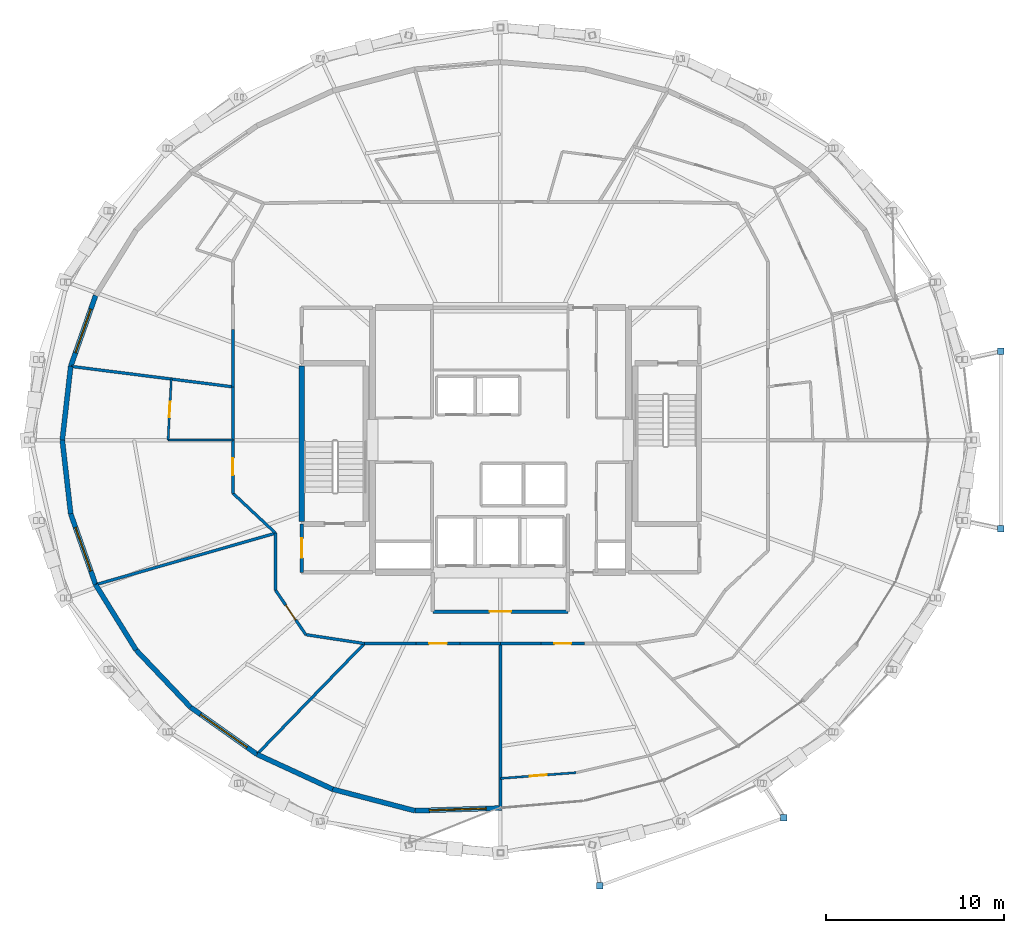
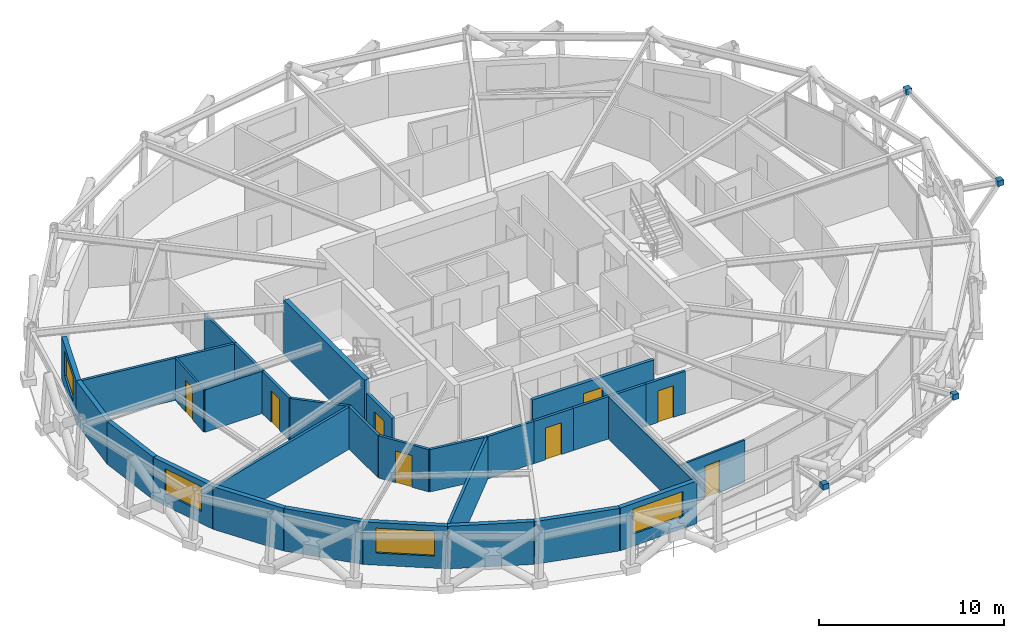
# One storey, part 12 of 17: 32 walls, 8 doors, 4 plates, 4 windows, 12 openings.
"""IFC4 building model written with IfcOpenShell, lengths in metres."""

from ifc_helpers import new_model, si_unit, direction, frame, frame_2d, origin, origin_2d, place, context, subcontext, project, spatial, rectangle, extrude, material, layer, layer_set, type_object, element, fill, save


model = new_model("IFC4")

# Units and contexts
model_context = context("Model", 3, precision=1e-05, world=origin(), true_north=direction((0.0, 1.0)))
body_context = subcontext(model_context, "Body", "Model", "MODEL_VIEW")
ifc_project = project(units=[si_unit("LENGTHUNIT", "METRE"), si_unit("AREAUNIT", "SQUARE_METRE"), si_unit("VOLUMEUNIT", "CUBIC_METRE"), si_unit("PLANEANGLEUNIT", "RADIAN"), si_unit("MASSUNIT", "GRAM", prefix="KILO")], contexts=[model_context])

# Site, building, storey
site_placement = place(None, origin())
site = spatial("IfcSite", under=ifc_project, at=site_placement, CompositionType="ELEMENT")
building_placement = place(site_placement, origin())
building = spatial("IfcBuilding", under=site, at=building_placement, Name="Veldorina Hangang Commons", CompositionType="ELEMENT")
storey_placement = place(building_placement, frame((0.0, 0.0, 196.39990234375)))
storey = spatial("IfcBuildingStorey", under=building, at=storey_placement, Name="L51", CompositionType="ELEMENT", Elevation=196.39990234375)

# Plates
ifc_material_1 = material(Name="Steel SM460-TMC", Category="steel")
ifc_layer_1 = layer(ifc_material_1, 0.035888671875)
ifc_layer_set_1 = layer_set([ifc_layer_1], Name="Steel SM460-TMC")
plate_type = type_object("IfcPlateType", Name="PL-STAR-36", PredefinedType="USERDEFINED", material=ifc_layer_set_1)
for number, where, z_axis, x_axis, name in (
    (1, (37.60107421875, -1.073974609375, 2.9951171875), (0.0, 0.0, 1.0), (1.0, 0.0, 0.0), "L52 tree balcony 1 strut end gusset A"),
    (2, (47.95068359375, 2.743408203125, 2.9951171875), (0.0, 0.0, 1.0), (1.0, 0.0, 0.0), "L52 tree balcony 1 strut end gusset B"),
    (3, (60.15869140625, 19.012451171875, 2.9951171875), (0.0, 0.0, 1.0), (1.0, 0.0, 0.0), "L52 tree balcony 2 strut end gusset A"),
    (4, (60.15869140625, 28.987548828125, 2.9951171875), (0.0, 0.0, 1.0), (1.0, 0.0, 0.0), "L52 tree balcony 2 strut end gusset B"),
):
    element("IfcPlate", number, at=place(storey_placement, frame(where, z_axis=z_axis, x_axis=x_axis)), inside=storey, type_object=plate_type, Name=name, ObjectType="GUSSET PLATE", PredefinedType="USERDEFINED", context=body_context, shape_type="SweptSolid", body=[
        extrude(rectangle(XDim=0.360107421875, YDim=0.360107421875, at=origin_2d()), origin(), (0.0, 0.0, 1.0), 0.360107421875),
    ])

# Wall, opening, window
ifc_material_2 = material(Name="Stone Roman Travertine", Category="masonry")
ifc_layer_2 = layer(ifc_material_2, 0.280029296875)
ifc_layer_set_2 = layer_set([ifc_layer_2], Name="Stone Roman Travertine")
wall_type_1 = type_object("IfcWallType", Name="EW-TRAV-280", PredefinedType="STANDARD", material=ifc_layer_set_2)
wall_1_placement = place(storey_placement, frame((9.224609375, 32.138671875, 0.0), z_axis=(0.0, 0.0, 1.0), x_axis=(-0.331702633575, -0.943383995454, 0.0)))
wall_1 = element("IfcWall", 5, at=wall_1_placement, inside=storey, type_object=wall_type_1, Name="L51 travertine facade wall 14", PredefinedType="STANDARD", context=body_context, shape_type="SweptSolid", body=[
    extrude(rectangle(XDim=4.229248046875, YDim=0.280029296875, at=frame_2d((2.11474609375, 0.0))), origin(), (0.0, 0.0, 1.0), 2.820068359375),
])
opening_1_placement = place(wall_1_placement, frame((0.814453125, 0.0, 0.800048828125)))
opening_1 = element("IfcOpeningElement", 6, at=opening_1_placement, cuts=wall_1, Name="Opening W-02", PredefinedType="OPENING", context=body_context, shape_type="SweptSolid", body=[
    extrude(rectangle(XDim=2.60009765625, YDim=1.64990234375, at=frame_2d((1.300048828125, 0.824951171875))), frame((0.0, 0.14990234375, 0.0), z_axis=(0.0, -1.0, 0.0), x_axis=(1.0, 0.0, 0.0)), (0.0, 0.0, 1.0), 0.300048828125),
])
ifc_material_3 = material(Name="Glass Low-E Triple IGU", Category="glass")
window_type_1 = type_object("IfcWindowType", Name="WIN-TWR-2600", PartitioningType="SINGLE_PANEL", PredefinedType="WINDOW", material=ifc_material_3)
window_1_placement = place(opening_1_placement, origin())
window_1 = element("IfcWindow", 7, at=window_1_placement, inside=storey, type_object=window_type_1, Name="L51 facade window 14", OverallHeight=1.64990234375, OverallWidth=2.60009765625, PartitioningType="SINGLE_PANEL", PredefinedType="WINDOW", context=body_context, shape_type="SweptSolid", body=[
    extrude(rectangle(XDim=2.60009765625, YDim=1.64990234375, at=frame_2d((1.300048828125, 0.824951171875))), frame((0.0, 0.030029296875, 0.0), z_axis=(0.0, -1.0, 0.0), x_axis=(1.0, 0.0, 0.0)), (0.0, 0.0, 1.0), 0.06005859375),
])
fill(opening_1, window_1)

# Walls
for number, where, z_axis, x_axis, name in (
    (8, (7.82177734375, 28.14892578125, 0.0), (0.0, 0.0, 1.0), (-0.113421275375, -0.993546986454, 0.0), "L51 travertine facade wall 15"),
    (9, (7.34814453125, 24.0, 0.0), (0.0, 0.0, 1.0), (0.113421275375, -0.993546986454, 0.0), "L51 travertine facade wall 16"),
):
    element("IfcWall", number, at=place(storey_placement, frame(where, z_axis=z_axis, x_axis=x_axis)), inside=storey, type_object=wall_type_1, Name=name, PredefinedType="STANDARD", context=body_context, shape_type="SweptSolid", body=[
        extrude(rectangle(XDim=4.17578125, YDim=0.280029296875, at=frame_2d((2.087890625, 0.0))), origin(), (0.0, 0.0, 1.0), 2.820068359375),
    ])

# Wall, opening, window
wall_2_placement = place(storey_placement, frame((7.82177734375, 19.85107421875, 0.0), z_axis=(0.0, 0.0, 1.0), x_axis=(0.331702633575, -0.943383995454, 0.0)))
wall_2 = element("IfcWall", 10, at=wall_2_placement, inside=storey, type_object=wall_type_1, Name="L51 travertine facade wall 17", PredefinedType="STANDARD", context=body_context, shape_type="SweptSolid", body=[
    extrude(rectangle(XDim=4.229248046875, YDim=0.280029296875, at=frame_2d((2.11474609375, 0.0))), origin(), (0.0, 0.0, 1.0), 2.820068359375),
])
opening_2_placement = place(wall_2_placement, frame((0.814453125, 0.0, 0.800048828125)))
opening_2 = element("IfcOpeningElement", 11, at=opening_2_placement, cuts=wall_2, Name="Opening W-02", PredefinedType="OPENING", context=body_context, shape_type="SweptSolid", body=[
    extrude(rectangle(XDim=2.60009765625, YDim=1.64990234375, at=frame_2d((1.300048828125, 0.824951171875))), frame((0.0, 0.14990234375, 0.0), z_axis=(0.0, -1.0, 0.0), x_axis=(1.0, 0.0, 0.0)), (0.0, 0.0, 1.0), 0.300048828125),
])
window_2_placement = place(opening_2_placement, origin())
window_2 = element("IfcWindow", 12, at=window_2_placement, inside=storey, type_object=window_type_1, Name="L51 facade window 17", OverallHeight=1.64990234375, OverallWidth=2.60009765625, PartitioningType="SINGLE_PANEL", PredefinedType="WINDOW", context=body_context, shape_type="SweptSolid", body=[
    extrude(rectangle(XDim=2.60009765625, YDim=1.64990234375, at=frame_2d((1.300048828125, 0.824951171875))), frame((0.0, 0.030029296875, 0.0), z_axis=(0.0, -1.0, 0.0), x_axis=(1.0, 0.0, 0.0)), (0.0, 0.0, 1.0), 0.06005859375),
])
fill(opening_2, window_2)

# Walls
wall_3_placement = place(storey_placement, frame((9.224609375, 15.861328125, 0.0), z_axis=(0.0, 0.0, 1.0), x_axis=(0.526686858754, -0.850059381935, 0.0)))
element("IfcWall", 13, at=wall_3_placement, inside=storey, type_object=wall_type_1, Name="L51 travertine facade wall 18", PredefinedType="STANDARD", context=body_context, shape_type="SweptSolid", body=[
    extrude(rectangle(XDim=4.3251953125, YDim=0.280029296875, at=frame_2d((2.16259765625, 0.0))), origin(), (0.0, 0.0, 1.0), 2.820068359375),
])
wall_4_placement = place(storey_placement, frame((11.502685546875, 12.1845703125, 0.0), z_axis=(0.0, 0.0, 1.0), x_axis=(0.689241173538, -0.724531990115, 0.0)))
element("IfcWall", 14, at=wall_4_placement, inside=storey, type_object=wall_type_1, Name="L51 travertine facade wall 19", PredefinedType="STANDARD", context=body_context, shape_type="SweptSolid", body=[
    extrude(rectangle(XDim=4.4482421875, YDim=0.280029296875, at=frame_2d((2.22412109375, 0.0))), origin(), (0.0, 0.0, 1.0), 2.820068359375),
])

# Wall, opening, window
wall_5_placement = place(storey_placement, frame((14.568603515625, 8.961669921875, 0.0), z_axis=(0.0, 0.0, 1.0), x_axis=(0.81615549773, -0.577832331672, 0.0)))
wall_5 = element("IfcWall", 15, at=wall_5_placement, inside=storey, type_object=wall_type_1, Name="L51 travertine facade wall 20", PredefinedType="STANDARD", context=body_context, shape_type="SweptSolid", body=[
    extrude(rectangle(XDim=4.5771484375, YDim=0.280029296875, at=frame_2d((2.28857421875, 0.0))), origin(), (0.0, 0.0, 1.0), 2.820068359375),
])
opening_3_placement = place(wall_5_placement, frame((0.6884765625, 0.0, 0.800048828125)))
opening_3 = element("IfcOpeningElement", 16, at=opening_3_placement, cuts=wall_5, Name="Opening W-01", PredefinedType="OPENING", context=body_context, shape_type="SweptSolid", body=[
    extrude(rectangle(XDim=3.199951171875, YDim=1.64990234375, at=frame_2d((1.60009765625, 0.824951171875))), frame((0.0, 0.14990234375, 0.0), z_axis=(0.0, -1.0, 0.0), x_axis=(1.0, 0.0, 0.0)), (0.0, 0.0, 1.0), 0.300048828125),
])
window_type_2 = type_object("IfcWindowType", Name="WIN-TWR-3200", PartitioningType="SINGLE_PANEL", PredefinedType="WINDOW", material=ifc_material_3)
window_3_placement = place(opening_3_placement, origin())
window_3 = element("IfcWindow", 17, at=window_3_placement, inside=storey, type_object=window_type_2, Name="L51 facade window 20", OverallHeight=1.64990234375, OverallWidth=3.199951171875, PartitioningType="SINGLE_PANEL", PredefinedType="WINDOW", context=body_context, shape_type="SweptSolid", body=[
    extrude(rectangle(XDim=3.199951171875, YDim=1.64990234375, at=frame_2d((1.60009765625, 0.824951171875))), frame((0.0, 0.030029296875, 0.0), z_axis=(0.0, -1.0, 0.0), x_axis=(1.0, 0.0, 0.0)), (0.0, 0.0, 1.0), 0.06005859375),
])
fill(opening_3, window_3)

# Walls
wall_6_placement = place(storey_placement, frame((18.30419921875, 6.31689453125, 0.0), z_axis=(0.0, 0.0, 1.0), x_axis=(0.908099405027, -0.41875466635, 0.0)))
element("IfcWall", 18, at=wall_6_placement, inside=storey, type_object=wall_type_1, Name="L51 travertine facade wall 21", PredefinedType="STANDARD", context=body_context, shape_type="SweptSolid", body=[
    extrude(rectangle(XDim=4.693359375, YDim=0.280029296875, at=frame_2d((2.3466796875, 0.0))), origin(), (0.0, 0.0, 1.0), 2.820068359375),
])
wall_7_placement = place(storey_placement, frame((22.566162109375, 4.3515625, 0.0), z_axis=(0.0, 0.0, 1.0), x_axis=(0.967422274867, -0.253168209086, 0.0)))
element("IfcWall", 19, at=wall_7_placement, inside=storey, type_object=wall_type_1, Name="L51 travertine facade wall 22", PredefinedType="STANDARD", context=body_context, shape_type="SweptSolid", body=[
    extrude(rectangle(XDim=4.7802734375, YDim=0.280029296875, at=frame_2d((2.39013671875, 0.0))), origin(), (0.0, 0.0, 1.0), 2.820068359375),
])

# Wall, opening, window
wall_8_placement = place(storey_placement, frame((27.190673828125, 3.141357421875, 0.0), z_axis=(0.0, 0.0, 1.0), x_axis=(0.999504860995, 0.031464787415, 0.0)))
wall_8 = element("IfcWall", 20, at=wall_8_placement, inside=storey, type_object=wall_type_1, Name="L51 travertine facade wall 23", PredefinedType="STANDARD", context=body_context, shape_type="SweptSolid", body=[
    extrude(rectangle(XDim=4.90380859375, YDim=0.280029296875, at=frame_2d((2.451904296875, 0.0))), origin(), (0.0, 0.0, 1.0), 2.820068359375),
])
opening_4_placement = place(wall_8_placement, frame((0.805908203125, 0.0, 0.800048828125)))
opening_4 = element("IfcOpeningElement", 21, at=opening_4_placement, cuts=wall_8, Name="Opening W-01", PredefinedType="OPENING", context=body_context, shape_type="SweptSolid", body=[
    extrude(rectangle(XDim=3.199951171875, YDim=1.64990234375, at=frame_2d((1.60009765625, 0.824951171875))), frame((0.0, 0.14990234375, 0.0), z_axis=(0.0, -1.0, 0.0), x_axis=(1.0, 0.0, 0.0)), (0.0, 0.0, 1.0), 0.300048828125),
])
window_4_placement = place(opening_4_placement, origin())
window_4 = element("IfcWindow", 22, at=window_4_placement, inside=storey, type_object=window_type_2, Name="L51 facade window 23", OverallHeight=1.64990234375, OverallWidth=3.199951171875, PartitioningType="SINGLE_PANEL", PredefinedType="WINDOW", context=body_context, shape_type="SweptSolid", body=[
    extrude(rectangle(XDim=3.199951171875, YDim=1.64990234375, at=frame_2d((1.60009765625, 0.824951171875))), frame((0.0, 0.030029296875, 0.0), z_axis=(0.0, -1.0, 0.0), x_axis=(1.0, 0.0, 0.0)), (0.0, 0.0, 1.0), 0.06005859375),
])
fill(opening_4, window_4)

# Walls
ifc_material_4 = material(Name="Concrete C50/60", Category="concrete")
ifc_layer_3 = layer(ifc_material_4, 0.300048828125)
ifc_layer_set_3 = layer_set([ifc_layer_3], Name="Concrete C50/60")
wall_type_2 = type_object("IfcWallType", Name="SW-STAIR-300", PredefinedType="SHEAR", material=ifc_layer_set_3)
wall_9_placement = place(storey_placement, frame((20.820068359375, 19.429931640625, 0.0), z_axis=(0.0, 0.0, 1.0), x_axis=(0.0, 1.0, 0.0)))
element("IfcWall", 23, at=wall_9_placement, inside=storey, type_object=wall_type_2, Name="L51 ST1 outer stair shear wall", PredefinedType="SHEAR", context=body_context, shape_type="SweptSolid", body=[
    extrude(rectangle(XDim=8.739990234375, YDim=0.300048828125, at=frame_2d((4.3701171875, 0.0))), origin(), (0.0, 0.0, 1.0), 3.60009765625),
])
ifc_material_5 = material(Name="Gypsum Fire-Rated Twin Stud Wall", Category="gypsum")
ifc_layer_4 = layer(ifc_material_5, 0.159912109375)
ifc_layer_set_4 = layer_set([ifc_layer_4], Name="Gypsum Fire-Rated Twin Stud Wall")
wall_type_3 = type_object("IfcWallType", Name="WL-FIRE-160", PredefinedType="SOLIDWALL", material=ifc_layer_set_4)
wall_10_placement = place(storey_placement, frame((16.949951171875, 30.23388671875, 0.0), z_axis=(0.0, 0.0, 1.0), x_axis=(0.0, -1.0, 0.0)))
element("IfcWall", 24, at=wall_10_placement, inside=storey, type_object=wall_type_3, Name="L51 U-corridor outer wall 14 058", PredefinedType="SOLIDWALL", context=body_context, shape_type="SweptSolid", body=[
    extrude(rectangle(XDim=3.240234375, YDim=0.159912109375, at=frame_2d((1.6201171875, 0.0))), origin(), (0.0, 0.0, 1.0), 2.800048828125),
])
wall_11_placement = place(storey_placement, frame((16.949951171875, 26.99365234375, 0.0), z_axis=(0.0, 0.0, 1.0), x_axis=(0.0, -1.0, 0.0)))
element("IfcWall", 25, at=wall_11_placement, inside=storey, type_object=wall_type_3, Name="L51 U-corridor outer wall 15 059", PredefinedType="SOLIDWALL", context=body_context, shape_type="SweptSolid", body=[
    extrude(rectangle(XDim=2.99365234375, YDim=0.159912109375, at=frame_2d((1.496826171875, 0.0))), origin(), (0.0, 0.0, 1.0), 2.800048828125),
])

# Wall, opening, door
wall_12_placement = place(storey_placement, frame((16.949951171875, 24.0, 0.0), z_axis=(0.0, 0.0, 1.0), x_axis=(0.0, -1.0, 0.0)))
wall_12 = element("IfcWall", 26, at=wall_12_placement, inside=storey, type_object=wall_type_3, Name="L51 U-corridor outer wall 16 060", PredefinedType="SOLIDWALL", context=body_context, shape_type="SweptSolid", body=[
    extrude(rectangle(XDim=2.99365234375, YDim=0.159912109375, at=frame_2d((1.496826171875, 0.0))), origin(), (0.0, 0.0, 1.0), 2.800048828125),
])
opening_5_placement = place(wall_12_placement, frame((1.021728515625, 0.0, 0.0)))
opening_5 = element("IfcOpeningElement", 27, at=opening_5_placement, cuts=wall_12, Name="Opening D-03", PredefinedType="OPENING", context=body_context, shape_type="SweptSolid", body=[
    extrude(rectangle(XDim=0.949951171875, YDim=2.10009765625, at=frame_2d((0.47509765625, 1.050048828125))), frame((0.0, 0.08984375, 0.0), z_axis=(0.0, -1.0, 0.0), x_axis=(1.0, 0.0, 0.0)), (0.0, 0.0, 1.0), 0.179931640625),
])
ifc_material_6 = material(Name="Timber Fire-Rated Entrance Core", Category="wood")
door_type_1 = type_object("IfcDoorType", Name="DR-UNIT-950", OperationType="SINGLE_SWING_RIGHT", PredefinedType="DOOR", material=ifc_material_6)
door_1_placement = place(opening_5_placement, origin())
door_1 = element("IfcDoor", 28, at=door_1_placement, inside=storey, type_object=door_type_1, Name="L51 Studio 6 entrance door 030", OperationType="SINGLE_SWING_RIGHT", OverallHeight=2.10009765625, OverallWidth=0.949951171875, PredefinedType="DOOR", context=body_context, shape_type="SweptSolid", body=[
    extrude(rectangle(XDim=0.949951171875, YDim=2.10009765625, at=frame_2d((0.47509765625, 1.050048828125))), frame((0.0, 0.02490234375, 0.0), z_axis=(0.0, -1.0, 0.0), x_axis=(1.0, 0.0, 0.0)), (0.0, 0.0, 1.0), 0.050048828125),
])
fill(opening_5, door_1)

# Walls
wall_13_placement = place(storey_placement, frame((16.949951171875, 21.00634765625, 0.0), z_axis=(0.0, 0.0, 1.0), x_axis=(0.730150682073, -0.683286163674, 0.0)))
element("IfcWall", 29, at=wall_13_placement, inside=storey, type_object=wall_type_3, Name="L51 U-corridor outer wall 17 061", PredefinedType="SOLIDWALL", context=body_context, shape_type="SweptSolid", body=[
    extrude(rectangle(XDim=3.287109375, YDim=0.159912109375, at=frame_2d((1.6435546875, 0.0))), origin(), (0.0, 0.0, 1.0), 2.800048828125),
])
wall_14_placement = place(storey_placement, frame((19.35009765625, 18.76025390625, 0.0), z_axis=(0.0, 0.0, 1.0), x_axis=(0.0, -1.0, 0.0)))
element("IfcWall", 30, at=wall_14_placement, inside=storey, type_object=wall_type_3, Name="L51 U-corridor outer wall 18 062", PredefinedType="SOLIDWALL", context=body_context, shape_type="SweptSolid", body=[
    extrude(rectangle(XDim=3.212646484375, YDim=0.159912109375, at=frame_2d((1.6064453125, 0.0))), origin(), (0.0, 0.0, 1.0), 2.800048828125),
])

# Wall, opening, door
wall_15_placement = place(storey_placement, frame((19.35009765625, 15.547607421875, 0.0), z_axis=(0.0, 0.0, 1.0), x_axis=(0.562674669208, -0.826678423955, 0.0)))
wall_15 = element("IfcWall", 31, at=wall_15_placement, inside=storey, type_object=wall_type_3, Name="L51 U-corridor outer wall 19 063", PredefinedType="SOLIDWALL", context=body_context, shape_type="SweptSolid", body=[
    extrude(rectangle(XDim=3.021240234375, YDim=0.159912109375, at=frame_2d((1.5107421875, 0.0))), origin(), (0.0, 0.0, 1.0), 2.800048828125),
])
opening_6_placement = place(wall_15_placement, frame((1.010498046875, 0.0, 0.0)))
opening_6 = element("IfcOpeningElement", 32, at=opening_6_placement, cuts=wall_15, Name="Opening D-05", PredefinedType="OPENING", context=body_context, shape_type="SweptSolid", body=[
    extrude(rectangle(XDim=1.0, YDim=2.10009765625, at=frame_2d((0.5, 1.050048828125))), frame((0.0, 0.08984375, 0.0), z_axis=(0.0, -1.0, 0.0), x_axis=(1.0, 0.0, 0.0)), (0.0, 0.0, 1.0), 0.179931640625),
])
ifc_material_7 = material(Name="Timber Solid Core Acoustic", Category="wood")
door_type_2 = type_object("IfcDoorType", Name="DR-INT-1000", OperationType="SINGLE_SWING_RIGHT", PredefinedType="DOOR", material=ifc_material_7)
door_2_placement = place(opening_6_placement, origin())
door_2 = element("IfcDoor", 33, at=door_2_placement, inside=storey, type_object=door_type_2, Name="L51 Floor Study Room 7 door 031", OperationType="SINGLE_SWING_LEFT", OverallHeight=2.10009765625, OverallWidth=1.0, PredefinedType="DOOR", context=body_context, shape_type="SweptSolid", body=[
    extrude(rectangle(XDim=1.0, YDim=2.10009765625, at=frame_2d((0.5, 1.050048828125))), frame((0.0, 0.02490234375, 0.0), z_axis=(0.0, -1.0, 0.0), x_axis=(1.0, 0.0, 0.0)), (0.0, 0.0, 1.0), 0.050048828125),
])
fill(opening_6, door_2)

# Walls
wall_16_placement = place(storey_placement, frame((21.050048828125, 13.050048828125, 0.0), z_axis=(0.0, 0.0, 1.0), x_axis=(0.988710906508, -0.149835721217, 0.0)))
element("IfcWall", 34, at=wall_16_placement, inside=storey, type_object=wall_type_3, Name="L51 U-corridor outer wall 20 064", PredefinedType="SOLIDWALL", context=body_context, shape_type="SweptSolid", body=[
    extrude(rectangle(XDim=3.3369140625, YDim=0.159912109375, at=frame_2d((1.66845703125, 0.0))), origin(), (0.0, 0.0, 1.0), 2.800048828125),
])
wall_17_placement = place(storey_placement, frame((24.349365234375, 12.550048828125, 0.0), z_axis=(0.0, 0.0, 1.0), x_axis=(1.0, 0.0, 0.0)))
element("IfcWall", 35, at=wall_17_placement, inside=storey, type_object=wall_type_3, Name="L51 U-corridor outer wall 21 065", PredefinedType="SOLIDWALL", context=body_context, shape_type="SweptSolid", body=[
    extrude(rectangle(XDim=2.907958984375, YDim=0.159912109375, at=frame_2d((1.4541015625, 0.0))), origin(), (0.0, 0.0, 1.0), 2.800048828125),
])

# Wall, opening, door
wall_18_placement = place(storey_placement, frame((27.25732421875, 12.550048828125, 0.0), z_axis=(0.0, 0.0, 1.0), x_axis=(1.0, 0.0, 0.0)))
wall_18 = element("IfcWall", 36, at=wall_18_placement, inside=storey, type_object=wall_type_3, Name="L51 U-corridor outer wall 22 066", PredefinedType="SOLIDWALL", context=body_context, shape_type="SweptSolid", body=[
    extrude(rectangle(XDim=2.465087890625, YDim=0.159912109375, at=frame_2d((1.232421875, 0.0))), origin(), (0.0, 0.0, 1.0), 2.800048828125),
])
opening_7_placement = place(wall_18_placement, frame((0.732666015625, 0.0, 0.0)))
opening_7 = element("IfcOpeningElement", 37, at=opening_7_placement, cuts=wall_18, Name="Opening D-05", PredefinedType="OPENING", context=body_context, shape_type="SweptSolid", body=[
    extrude(rectangle(XDim=1.0, YDim=2.10009765625, at=frame_2d((0.5, 1.050048828125))), frame((0.0, 0.08984375, 0.0), z_axis=(0.0, -1.0, 0.0), x_axis=(1.0, 0.0, 0.0)), (0.0, 0.0, 1.0), 0.179931640625),
])
door_3_placement = place(opening_7_placement, origin())
door_3 = element("IfcDoor", 38, at=door_3_placement, inside=storey, type_object=door_type_2, Name="L51 Floor Study Room 8 door 032", OperationType="SINGLE_SWING_RIGHT", OverallHeight=2.10009765625, OverallWidth=1.0, PredefinedType="DOOR", context=body_context, shape_type="SweptSolid", body=[
    extrude(rectangle(XDim=1.0, YDim=2.10009765625, at=frame_2d((0.5, 1.050048828125))), frame((0.0, 0.02490234375, 0.0), z_axis=(0.0, -1.0, 0.0), x_axis=(1.0, 0.0, 0.0)), (0.0, 0.0, 1.0), 0.050048828125),
])
fill(opening_7, door_3)

# Walls
for number, where, z_axis, x_axis, name in (
    (39, (29.722412109375, 12.550048828125, 0.0), (0.0, 0.0, 1.0), (1.0, 0.0, 0.0), "L51 U-corridor outer wall 23 067"),
    (40, (32.0, 12.550048828125, 0.0), (0.0, 0.0, 1.0), (1.0, 0.0, 0.0), "L51 U-corridor outer wall 24 068"),
):
    element("IfcWall", number, at=place(storey_placement, frame(where, z_axis=z_axis, x_axis=x_axis)), inside=storey, type_object=wall_type_3, Name=name, PredefinedType="SOLIDWALL", context=body_context, shape_type="SweptSolid", body=[
        extrude(rectangle(XDim=2.277587890625, YDim=0.159912109375, at=frame_2d((1.138671875, 0.0))), origin(), (0.0, 0.0, 1.0), 2.800048828125),
    ])

# Wall, opening, door
wall_19_placement = place(storey_placement, frame((34.277587890625, 12.550048828125, 0.0), z_axis=(0.0, 0.0, 1.0), x_axis=(1.0, 0.0, 0.0)))
wall_19 = element("IfcWall", 41, at=wall_19_placement, inside=storey, type_object=wall_type_3, Name="L51 U-corridor outer wall 25 069", PredefinedType="SOLIDWALL", context=body_context, shape_type="SweptSolid", body=[
    extrude(rectangle(XDim=2.465087890625, YDim=0.159912109375, at=frame_2d((1.232421875, 0.0))), origin(), (0.0, 0.0, 1.0), 2.800048828125),
])
opening_8_placement = place(wall_19_placement, frame((0.757568359375, 0.0, 0.0)))
opening_8 = element("IfcOpeningElement", 42, at=opening_8_placement, cuts=wall_19, Name="Opening D-02", PredefinedType="OPENING", context=body_context, shape_type="SweptSolid", body=[
    extrude(rectangle(XDim=0.949951171875, YDim=2.10009765625, at=frame_2d((0.47509765625, 1.050048828125))), frame((0.0, 0.08984375, 0.0), z_axis=(0.0, -1.0, 0.0), x_axis=(1.0, 0.0, 0.0)), (0.0, 0.0, 1.0), 0.179931640625),
])
door_type_3 = type_object("IfcDoorType", Name="DR-INT-950", OperationType="SINGLE_SWING_LEFT", PredefinedType="DOOR", material=ifc_material_7)
door_4_placement = place(opening_8_placement, origin())
door_4 = element("IfcDoor", 43, at=door_4_placement, inside=storey, type_object=door_type_3, Name="L51 Linen drying store door 033", OperationType="SINGLE_SWING_LEFT", OverallHeight=2.10009765625, OverallWidth=0.949951171875, PredefinedType="DOOR", context=body_context, shape_type="SweptSolid", body=[
    extrude(rectangle(XDim=0.949951171875, YDim=2.10009765625, at=frame_2d((0.47509765625, 1.050048828125))), frame((0.0, 0.02490234375, 0.0), z_axis=(0.0, -1.0, 0.0), x_axis=(1.0, 0.0, 0.0)), (0.0, 0.0, 1.0), 0.050048828125),
])
fill(opening_8, door_4)

# Walls
wall_20_placement = place(storey_placement, frame((16.949951171875, 26.99365234375, 0.0), z_axis=(0.0, 0.0, 1.0), x_axis=(-0.99208709063, 0.125551601369, 0.0)))
element("IfcWall", 44, at=wall_20_placement, inside=storey, type_object=wall_type_3, Name="L51 Unit party wall 15 099", PredefinedType="SOLIDWALL", context=body_context, shape_type="SweptSolid", body=[
    extrude(rectangle(XDim=9.151123046875, YDim=0.159912109375, at=frame_2d((4.57568359375, 0.0))), origin(), (0.0, 0.0, 1.0), 2.800048828125),
])
wall_21_placement = place(storey_placement, frame((19.35009765625, 18.76025390625, 0.0), z_axis=(0.0, 0.0, 1.0), x_axis=(-0.961378794816, -0.275228655628, 0.0)))
element("IfcWall", 45, at=wall_21_placement, inside=storey, type_object=wall_type_3, Name="L51 Unit party wall 18 102", PredefinedType="SOLIDWALL", context=body_context, shape_type="SweptSolid", body=[
    extrude(rectangle(XDim=10.482177734375, YDim=0.159912109375, at=frame_2d((5.2412109375, 0.0))), origin(), (0.0, 0.0, 1.0), 2.800048828125),
])
wall_22_placement = place(storey_placement, frame((24.349365234375, 12.550048828125, 0.0), z_axis=(0.0, 0.0, 1.0), x_axis=(-0.69620722349, -0.717840861167, 0.0)))
element("IfcWall", 46, at=wall_22_placement, inside=storey, type_object=wall_type_3, Name="L51 Unit party wall 21 103", PredefinedType="SOLIDWALL", context=body_context, shape_type="SweptSolid", body=[
    extrude(rectangle(XDim=8.63330078125, YDim=0.159912109375, at=frame_2d((4.316650390625, 0.0))), origin(), (0.0, 0.0, 1.0), 2.800048828125),
])
wall_23_placement = place(storey_placement, frame((32.0, 12.550048828125, 0.0), z_axis=(0.0, 0.0, 1.0), x_axis=(0.0, -1.0, 0.0)))
element("IfcWall", 47, at=wall_23_placement, inside=storey, type_object=wall_type_3, Name="L51 Unit party wall 24 104", PredefinedType="SOLIDWALL", context=body_context, shape_type="SweptSolid", body=[
    extrude(rectangle(XDim=9.207275390625, YDim=0.159912109375, at=frame_2d((4.603515625, 0.0))), origin(), (0.0, 0.0, 1.0), 2.800048828125),
])

# Wall, opening, door
ifc_material_8 = material(Name="Concrete Blockwork Fire Wall C30/37", Category="masonry")
ifc_layer_5 = layer(ifc_material_8, 0.199951171875)
ifc_layer_set_5 = layer_set([ifc_layer_5], Name="Concrete Blockwork Fire Wall C30/37")
wall_type_4 = type_object("IfcWallType", Name="WL-FIRE-200", PredefinedType="SOLIDWALL", material=ifc_layer_set_5)
wall_24_placement = place(storey_placement, frame((20.820068359375, 16.550048828125, 0.0), z_axis=(0.0, 0.0, 1.0), x_axis=(0.0, 1.0, 0.0)))
wall_24 = element("IfcWall", 48, at=wall_24_placement, inside=storey, type_object=wall_type_4, Name="L51 West vestibule outer wall 001", PredefinedType="SOLIDWALL", context=body_context, shape_type="SweptSolid", body=[
    extrude(rectangle(XDim=2.72998046875, YDim=0.199951171875, at=frame_2d((1.364990234375, 0.0))), origin(), (0.0, 0.0, 1.0), 2.800048828125),
])
opening_9_placement = place(wall_24_placement, frame((0.81494140625, 0.0, 0.0)))
opening_9 = element("IfcOpeningElement", 49, at=opening_9_placement, cuts=wall_24, Name="Opening D-08", PredefinedType="OPENING", context=body_context, shape_type="SweptSolid", body=[
    extrude(rectangle(XDim=1.10009765625, YDim=2.10009765625, at=frame_2d((0.550048828125, 1.050048828125))), frame((0.0, 0.10986328125, 0.0), z_axis=(0.0, -1.0, 0.0), x_axis=(1.0, 0.0, 0.0)), (0.0, 0.0, 1.0), 0.219970703125),
])
ifc_material_9 = material(Name="Steel Fire-Rated Smoke Seal", Category="steel")
door_type_4 = type_object("IfcDoorType", Name="DR-FIRE-1100", OperationType="SINGLE_SWING_RIGHT", PredefinedType="DOOR", material=ifc_material_9)
door_5_placement = place(opening_9_placement, origin())
door_5 = element("IfcDoor", 50, at=door_5_placement, inside=storey, type_object=door_type_4, Name="L51 West vestibule west door 001", OperationType="SINGLE_SWING_LEFT", OverallHeight=2.10009765625, OverallWidth=1.10009765625, PredefinedType="DOOR", context=body_context, shape_type="SweptSolid", body=[
    extrude(rectangle(XDim=1.10009765625, YDim=2.10009765625, at=frame_2d((0.550048828125, 1.050048828125))), frame((0.0, 0.02490234375, 0.0), z_axis=(0.0, -1.0, 0.0), x_axis=(1.0, 0.0, 0.0)), (0.0, 0.0, 1.0), 0.050048828125),
])
fill(opening_9, door_5)

wall_25_placement = place(storey_placement, frame((28.199951171875, 14.35009765625, 0.0), z_axis=(0.0, 0.0, 1.0), x_axis=(1.0, 0.0, 0.0)))
wall_25 = element("IfcWall", 51, at=wall_25_placement, inside=storey, type_object=wall_type_4, Name="L51 FF lobby south wall 014", PredefinedType="SOLIDWALL", context=body_context, shape_type="SweptSolid", body=[
    extrude(rectangle(XDim=7.60009765625, YDim=0.199951171875, at=frame_2d((3.800048828125, 0.0))), origin(), (0.0, 0.0, 1.0), 2.800048828125),
])
opening_10_placement = place(wall_25_placement, frame((3.199951171875, 0.0, 0.0)))
opening_10 = element("IfcOpeningElement", 52, at=opening_10_placement, cuts=wall_25, Name="Opening D-09", PredefinedType="OPENING", context=body_context, shape_type="SweptSolid", body=[
    extrude(rectangle(XDim=1.199951171875, YDim=2.10009765625, at=frame_2d((0.60009765625, 1.050048828125))), frame((0.0, 0.10986328125, 0.0), z_axis=(0.0, -1.0, 0.0), x_axis=(1.0, 0.0, 0.0)), (0.0, 0.0, 1.0), 0.219970703125),
])
ifc_material_10 = material(Name="Steel Fire-Rated Corridor Door", Category="steel")
door_type_5 = type_object("IfcDoorType", Name="DR-FIRE-1200", OperationType="SINGLE_SWING_LEFT", PredefinedType="DOOR", material=ifc_material_10)
door_6_placement = place(opening_10_placement, origin())
door_6 = element("IfcDoor", 53, at=door_6_placement, inside=storey, type_object=door_type_5, Name="L51 FF lobby south corridor door 005", OperationType="SINGLE_SWING_LEFT", OverallHeight=2.10009765625, OverallWidth=1.199951171875, PredefinedType="DOOR", context=body_context, shape_type="SweptSolid", body=[
    extrude(rectangle(XDim=1.199951171875, YDim=2.10009765625, at=frame_2d((0.60009765625, 1.050048828125))), frame((0.0, 0.02490234375, 0.0), z_axis=(0.0, -1.0, 0.0), x_axis=(1.0, 0.0, 0.0)), (0.0, 0.0, 1.0), 0.050048828125),
])
fill(opening_10, door_6)

ifc_material_11 = material(Name="Gypsum Acoustic Stud Partition", Category="gypsum")
ifc_layer_6 = layer(ifc_material_11, 0.1201171875)
ifc_layer_set_6 = layer_set([ifc_layer_6], Name="Gypsum Acoustic Stud Partition")
wall_type_5 = type_object("IfcWallType", Name="WL-PART-120", PredefinedType="PARTITIONING", material=ifc_layer_set_6)
wall_26_placement = place(storey_placement, frame((13.481201171875, 27.4326171875, 0.0), z_axis=(0.0, 0.0, 1.0), x_axis=(-0.052346341816, -0.998628990416, 0.0)))
wall_26 = element("IfcWall", 54, at=wall_26_placement, inside=storey, type_object=wall_type_5, Name="L51 Studio 6 bath front wall 100", PredefinedType="PARTITIONING", context=body_context, shape_type="SweptSolid", body=[
    extrude(rectangle(XDim=3.437255859375, YDim=0.1201171875, at=frame_2d((1.71875, 0.0))), origin(), (0.0, 0.0, 1.0), 2.800048828125),
])
opening_11_placement = place(wall_26_placement, frame((1.288818359375, 0.0, 0.0)))
opening_11 = element("IfcOpeningElement", 55, at=opening_11_placement, cuts=wall_26, Name="Opening D-01", PredefinedType="OPENING", context=body_context, shape_type="SweptSolid", body=[
    extrude(rectangle(XDim=0.860107421875, YDim=2.10009765625, at=frame_2d((0.43017578125, 1.050048828125))), frame((0.0, 0.070068359375, 0.0), z_axis=(0.0, -1.0, 0.0), x_axis=(1.0, 0.0, 0.0)), (0.0, 0.0, 1.0), 0.14013671875),
])
ifc_material_12 = material(Name="Timber Moisture-Resistant Core", Category="wood")
door_type_6 = type_object("IfcDoorType", Name="DR-WET-860", OperationType="SINGLE_SWING_LEFT", PredefinedType="DOOR", material=ifc_material_12)
door_7_placement = place(opening_11_placement, origin())
door_7 = element("IfcDoor", 56, at=door_7_placement, inside=storey, type_object=door_type_6, Name="L51 Studio 6 bathroom door 029", OperationType="SINGLE_SWING_LEFT", OverallHeight=2.10009765625, OverallWidth=0.860107421875, PredefinedType="DOOR", context=body_context, shape_type="SweptSolid", body=[
    extrude(rectangle(XDim=0.860107421875, YDim=2.10009765625, at=frame_2d((0.43017578125, 1.050048828125))), frame((0.0, 0.02490234375, 0.0), z_axis=(0.0, -1.0, 0.0), x_axis=(1.0, 0.0, 0.0)), (0.0, 0.0, 1.0), 0.050048828125),
])
fill(opening_11, door_7)

# Wall
wall_27_placement = place(storey_placement, frame((16.949951171875, 24.0, 0.0), z_axis=(0.0, 0.0, 1.0), x_axis=(-1.0, 0.0, 0.0)))
element("IfcWall", 57, at=wall_27_placement, inside=storey, type_object=wall_type_5, Name="L51 Studio 6 bath side wall 101", PredefinedType="PARTITIONING", context=body_context, shape_type="SweptSolid", body=[
    extrude(rectangle(XDim=3.648681640625, YDim=0.1201171875, at=frame_2d((1.82421875, 0.0))), origin(), (0.0, 0.0, 1.0), 2.800048828125),
])

# Wall, opening, door
wall_28_placement = place(storey_placement, frame((32.0, 4.958984375, 0.0), z_axis=(0.0, 0.0, 1.0), x_axis=(0.997082627401, 0.076329772278, 0.0)))
wall_28 = element("IfcWall", 58, at=wall_28_placement, inside=storey, type_object=wall_type_5, Name="L51 Laundry split 0 105", PredefinedType="PARTITIONING", context=body_context, shape_type="SweptSolid", body=[
    extrude(rectangle(XDim=4.2763671875, YDim=0.1201171875, at=frame_2d((2.13818359375, 0.0))), origin(), (0.0, 0.0, 1.0), 2.800048828125),
])
opening_12_placement = place(wall_28_placement, frame((1.663330078125, 0.0, 0.0)))
opening_12 = element("IfcOpeningElement", 59, at=opening_12_placement, cuts=wall_28, Name="Opening D-02", PredefinedType="OPENING", context=body_context, shape_type="SweptSolid", body=[
    extrude(rectangle(XDim=0.949951171875, YDim=2.10009765625, at=frame_2d((0.47509765625, 1.050048828125))), frame((0.0, 0.070068359375, 0.0), z_axis=(0.0, -1.0, 0.0), x_axis=(1.0, 0.0, 0.0)), (0.0, 0.0, 1.0), 0.14013671875),
])
door_8_placement = place(opening_12_placement, origin())
door_8 = element("IfcDoor", 60, at=door_8_placement, inside=storey, type_object=door_type_3, Name="L51 Resident laundry inner door 034", OperationType="SINGLE_SWING_RIGHT", OverallHeight=2.10009765625, OverallWidth=0.949951171875, PredefinedType="DOOR", context=body_context, shape_type="SweptSolid", body=[
    extrude(rectangle(XDim=0.949951171875, YDim=2.10009765625, at=frame_2d((0.47509765625, 1.050048828125))), frame((0.0, 0.02490234375, 0.0), z_axis=(0.0, -1.0, 0.0), x_axis=(1.0, 0.0, 0.0)), (0.0, 0.0, 1.0), 0.050048828125),
])
fill(opening_12, door_8)

save(model, "model.ifc")
